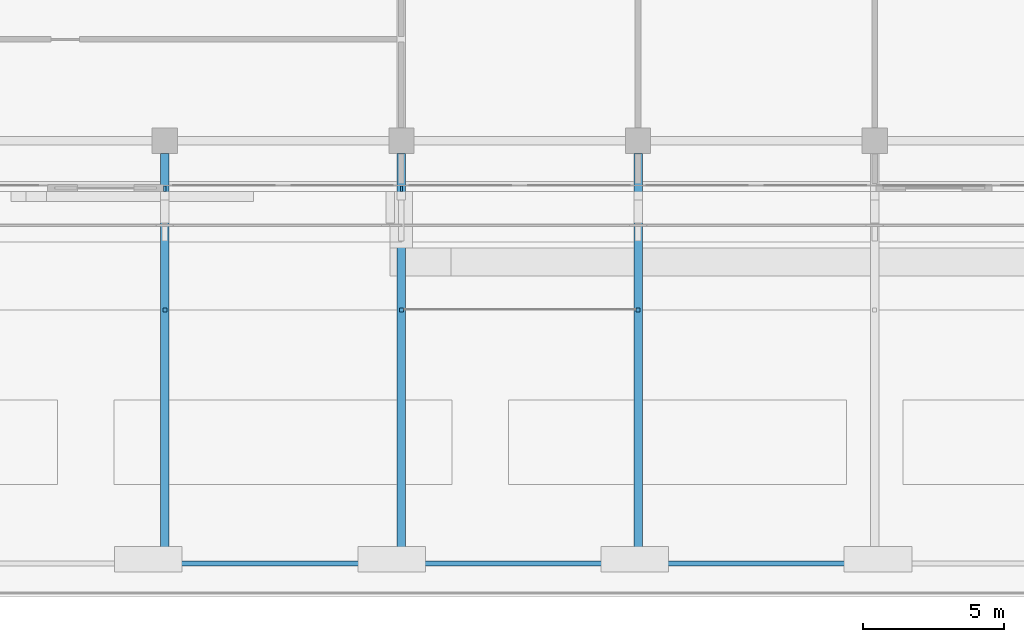
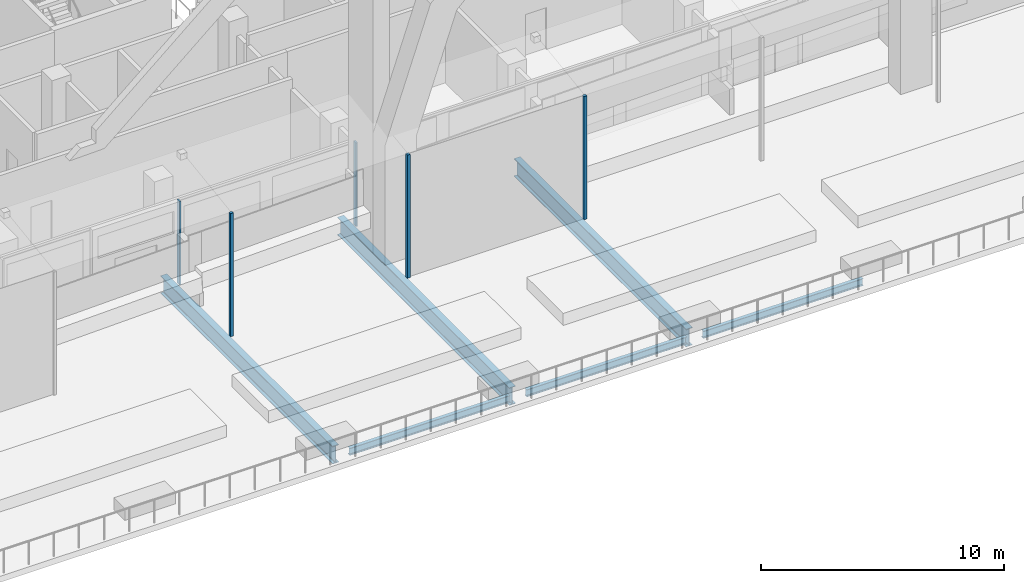
# One storey, part 4 of 60: 6 beams, 5 members, 1 element without a shape of its own.
"""IFC4 building model written with IfcOpenShell, lengths in metres."""

from ifc_helpers import new_model, si_unit, direction, frame, origin, origin_2d, place, context, subcontext, project, spatial, rectangle, i_section, extrude, material, material_profile, profile_set, type_object, element, aggregate, save


model = new_model("IFC4")

# Units and contexts
model_context = context("Model", 3, precision=1e-05, world=origin(), true_north=direction((0.0, 1.0)))
body_context = subcontext(model_context, "Body", "Model", "MODEL_VIEW")
ifc_project = project(units=[si_unit("LENGTHUNIT", "METRE"), si_unit("AREAUNIT", "SQUARE_METRE"), si_unit("VOLUMEUNIT", "CUBIC_METRE"), si_unit("PLANEANGLEUNIT", "RADIAN"), si_unit("MASSUNIT", "GRAM", prefix="KILO")], contexts=[model_context])

# Site, building, storey
site_placement = place(None, origin())
site = spatial("IfcSite", under=ifc_project, at=site_placement, CompositionType="ELEMENT")
building_placement = place(site_placement, origin())
building = spatial("IfcBuilding", under=site, at=building_placement, Name="Saffron Gate Tower", CompositionType="ELEMENT")
storey_placement = place(building_placement, frame((0.0, 0.0, 19.199951171875)))
storey = spatial("IfcBuildingStorey", under=building, at=storey_placement, Name="L03", CompositionType="ELEMENT", Elevation=19.199951171875)

# Beams
ifc_material_1 = material(Name="Structural steel S355", Category="steel")
ifc_material_profile_1 = material_profile(ifc_material_1, i_section(OverallWidth=0.169921875, OverallDepth=0.360107421875, WebThickness=0.008056640625, FlangeThickness=0.0126953125, FilletRadius=0.01806640625, at=origin_2d()))
ifc_profile_set_1 = profile_set([ifc_material_profile_1], Name="Structural steel S355")
beam_type_1 = type_object("IfcBeamType", Name="B1 IPE 360", PredefinedType="BEAM", material=ifc_profile_set_1)
for number, where, z_axis, x_axis, name in (
    (1, (67.0, 16.800048828125, -0.47998046875), (1.0, 0.0, 0.0), (0.0, 1.0, 0.0), "B1 PODIUM EDGE BEAM"),
    (2, (75.39990234375, 16.800048828125, -0.47998046875), (1.0, 0.0, 0.0), (0.0, 1.0, 0.0), "B1 PODIUM EDGE BEAM"),
):
    element("IfcBeam", number, at=place(storey_placement, frame(where, z_axis=z_axis, x_axis=x_axis)), inside=storey, type_object=beam_type_1, Name=name, PredefinedType="BEAM", context=body_context, shape_type="SweptSolid", body=[
        extrude(i_section(OverallWidth=0.169921875, OverallDepth=0.360107421875, WebThickness=0.008056640625, FlangeThickness=0.0126953125, FilletRadius=0.01806640625, at=origin_2d()), origin(), (0.0, 0.0, 1.0), 7.60009765625),
    ])
beam_placement = place(storey_placement, frame((83.800048828125, 16.800048828125, -0.47998046875), z_axis=(1.0, 0.0, 0.0), x_axis=(0.0, 1.0, 0.0)))
element("IfcBeam", 3, at=beam_placement, inside=storey, type_object=beam_type_1, Name="B1 PODIUM EDGE BEAM", PredefinedType="BEAM", context=body_context, shape_type="SweptSolid", body=[
    extrude(i_section(OverallWidth=0.169921875, OverallDepth=0.360107421875, WebThickness=0.008056640625, FlangeThickness=0.0126953125, FilletRadius=0.01806640625, at=origin_2d()), origin(), (0.0, 0.0, 1.0), 7.599853515625),
])
ifc_material_profile_2 = material_profile(ifc_material_1, i_section(OverallWidth=0.300048828125, OverallDepth=0.889892578125, WebThickness=0.01611328125, FlangeThickness=0.030029296875, FilletRadius=0.030029296875, at=origin_2d()))
ifc_profile_set_2 = profile_set([ifc_material_profile_2], Name="Structural steel S355")
beam_type_2 = type_object("IfcBeamType", Name="B19 HEA 900", PredefinedType="BEAM", material=ifc_profile_set_2)
for number, where, z_axis, x_axis, name in (
    (4, (66.60009765625, 17.199951171875, -0.744873046875), (0.0, 1.0, 0.0), (-1.0, 0.0, 0.0), "B19 PODIUM RING GIRDER"),
    (5, (75.0, 17.199951171875, -0.744873046875), (0.0, 1.0, 0.0), (-1.0, 0.0, 0.0), "B19 PODIUM RING GIRDER"),
    (6, (83.39990234375, 17.199951171875, -0.744873046875), (0.0, 1.0, 0.0), (-1.0, 0.0, 0.0), "B19 PODIUM RING GIRDER"),
):
    element("IfcBeam", number, at=place(storey_placement, frame(where, z_axis=z_axis, x_axis=x_axis)), inside=storey, type_object=beam_type_2, Name=name, PredefinedType="BEAM", context=body_context, shape_type="SweptSolid", body=[
        extrude(i_section(OverallWidth=0.300048828125, OverallDepth=0.889892578125, WebThickness=0.01611328125, FlangeThickness=0.030029296875, FilletRadius=0.030029296875, at=origin_2d()), origin(), (0.0, 0.0, 1.0), 14.150146484375),
    ])

# Curtain wall, members
ifc_material_2 = material(Name="Aluminium, bronze anodised", Category="aluminium")
curtain_wall_type = type_object("IfcCurtainWallType", Name="CWS6 curtain wall tall storeys", PredefinedType="NOTDEFINED", material=ifc_material_2)
curtain_wall_placement = place(storey_placement, origin())
curtain_wall = element("IfcCurtainWall", 7, at=curtain_wall_placement, inside=storey, type_object=curtain_wall_type, Name="CWS6 run 1", PredefinedType="NOTDEFINED")
ifc_material_profile_3 = material_profile(ifc_material_2, rectangle(XDim=0.199951171875, YDim=0.080078125, at=origin_2d()))
ifc_profile_set_3 = profile_set([ifc_material_profile_3], Name="Aluminium, bronze anodised")
member_type_1 = type_object("IfcMemberType", Name="CWS6 mullion 80x200", PredefinedType="MULLION", material=ifc_profile_set_3)
member_1_placement = place(storey_placement, frame((66.60009765625, 30.10009765625, 0.0), z_axis=(0.0, 0.0, 1.0), x_axis=(0.0, 1.0, 0.0)))
member_1 = element("IfcMember", 8, at=member_1_placement, type_object=member_type_1, Name="CWS6 mullion 3", PredefinedType="MULLION", context=body_context, shape_type="SweptSolid", body=[
    extrude(rectangle(XDim=0.199951171875, YDim=0.080078125, at=origin_2d()), origin(), (0.0, 0.0, 1.0), 4.199951171875),
])
member_2_placement = place(storey_placement, frame((75.0, 30.10009765625, 0.0), z_axis=(0.0, 0.0, 1.0), x_axis=(0.0, 1.0, 0.0)))
member_2 = element("IfcMember", 9, at=member_2_placement, type_object=member_type_1, Name="CWS6 mullion 4", PredefinedType="MULLION", context=body_context, shape_type="SweptSolid", body=[
    extrude(rectangle(XDim=0.199951171875, YDim=0.080078125, at=origin_2d()), origin(), (0.0, 0.0, 1.0), 4.199951171875),
])
aggregate(curtain_wall, [member_1, member_2])

# Members
ifc_material_profile_4 = material_profile(ifc_material_1, rectangle(XDim=0.139892578125, YDim=0.139892578125, at=origin_2d()))
ifc_profile_set_4 = profile_set([ifc_material_profile_4], Name="Structural steel S355")
member_type_2 = type_object("IfcMemberType", Name="HL1 hall post", PredefinedType="POST", material=ifc_profile_set_4)
for number, where, z_axis, x_axis, name in (
    (10, (66.60009765625, 25.800048828125, 0.0), (0.0, 0.0, 1.0), (1.0, 0.0, 0.0), "HALL POST"),
    (11, (75.0, 25.800048828125, 0.0), (0.0, 0.0, 1.0), (1.0, 0.0, 0.0), "HALL POST"),
    (12, (83.39990234375, 25.800048828125, 0.0), (0.0, 0.0, 1.0), (1.0, 0.0, 0.0), "HALL POST"),
):
    element("IfcMember", number, at=place(storey_placement, frame(where, z_axis=z_axis, x_axis=x_axis)), inside=storey, type_object=member_type_2, Name=name, PredefinedType="POST", context=body_context, shape_type="SweptSolid", body=[
        extrude(rectangle(XDim=0.139892578125, YDim=0.139892578125, at=origin_2d()), origin(), (0.0, 0.0, 1.0), 6.18994140625),
    ])

save(model, "model.ifc")
